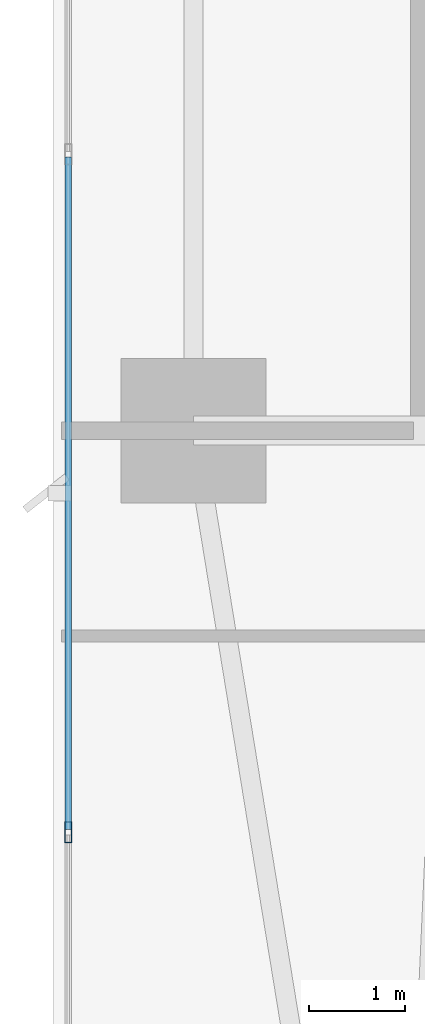
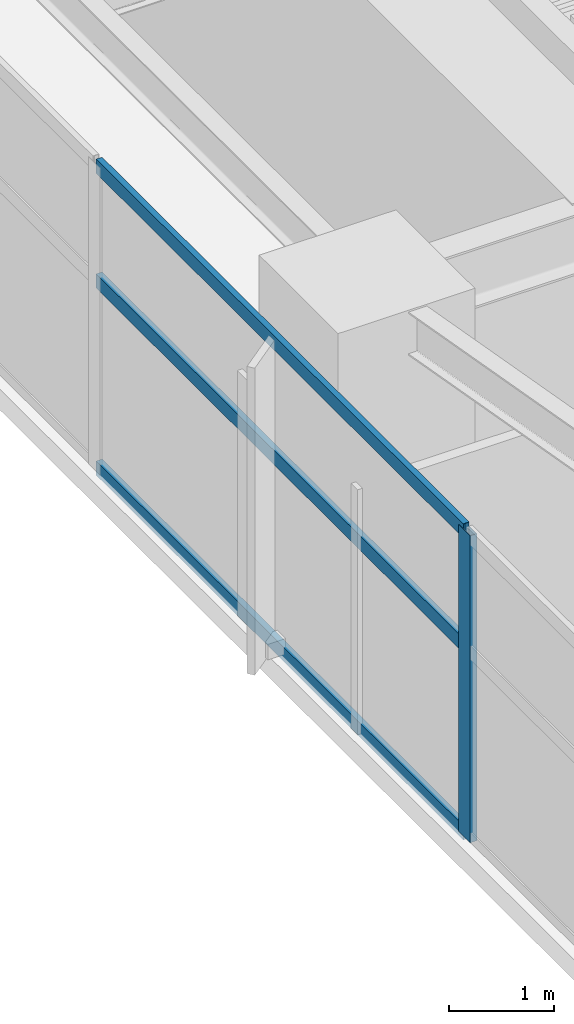
# One storey, part 4 of 30: 4 members, 1 element without a shape of its own.
"""IFC4 building model written with IfcOpenShell, lengths in metres."""

from ifc_helpers import new_model, si_unit, direction, frame, origin, origin_2d, place, context, subcontext, project, spatial, hollow_rectangle, extrude, material, layer, layer_set, material_profile, profile_set, type_object, element, aggregate, save


model = new_model("IFC4")

# Units and contexts
model_context = context("Model", 3, precision=1e-05, world=origin(), true_north=direction((0.0, 1.0)))
body_context = subcontext(model_context, "Body", "Model", "MODEL_VIEW")
ifc_project = project(units=[si_unit("LENGTHUNIT", "METRE"), si_unit("AREAUNIT", "SQUARE_METRE"), si_unit("VOLUMEUNIT", "CUBIC_METRE"), si_unit("PLANEANGLEUNIT", "RADIAN"), si_unit("MASSUNIT", "GRAM", prefix="KILO")], contexts=[model_context])

# Site, building, storey
site_placement = place(None, origin())
site = spatial("IfcSite", under=ifc_project, at=site_placement, CompositionType="ELEMENT")
building_placement = place(site_placement, origin())
building = spatial("IfcBuilding", under=site, at=building_placement, Name="Calvorn Quay Hotel", CompositionType="ELEMENT")
storey_placement = place(building_placement, frame((0.0, 0.0, 30.800048828125)))
storey = spatial("IfcBuildingStorey", under=building, at=storey_placement, Name="L06", CompositionType="ELEMENT", Elevation=30.800048828125)

# Curtain wall, members
ifc_material_1 = material(Name="Pale Anodised Aluminium and Low-E Glass", Category="aluminium")
ifc_layer = layer(ifc_material_1, 0.219970703125)
ifc_layer_set = layer_set([ifc_layer], Name="CW-SYS-Z1")
curtain_wall_type = type_object("IfcCurtainWallType", Name="CW-SYS-Z1", PredefinedType="NOTDEFINED", material=ifc_layer_set)
curtain_wall_placement = place(storey_placement, origin())
curtain_wall = element("IfcCurtainWall", 1, at=curtain_wall_placement, inside=storey, type_object=curtain_wall_type, Name="Tower West Curtain Wall (L06)", PredefinedType="NOTDEFINED")
ifc_material_2 = material(Name="Pale Anodised Aluminium 6063-T6", Category="aluminium")
ifc_material_profile_1 = material_profile(ifc_material_2, hollow_rectangle(XDim=0.074951171875, YDim=0.219970703125, WallThickness=0.00439453125, at=origin_2d()), Name="ALU-M220x75x4.5")
ifc_profile_set_1 = profile_set([ifc_material_profile_1], Name="Pale Anodised Aluminium 6063-T6")
member_type_1 = type_object("IfcMemberType", Name="CW-SYS-Z1-MUL", PredefinedType="MULLION", material=ifc_profile_set_1)
member_1_placement = place(storey_placement, frame((0.14990234375, 12.63330078125, 0.0), z_axis=(0.0, 0.0, 1.0), x_axis=(-1.0, 0.0, 0.0)))
member_1 = element("IfcMember", 2, at=member_1_placement, type_object=member_type_1, Name="CW-L06-W mullion 2", PredefinedType="MULLION", context=body_context, shape_type="SweptSolid", body=[
    extrude(hollow_rectangle(XDim=0.074951171875, YDim=0.219970703125, WallThickness=0.00439453125, at=origin_2d()), origin(), (0.0, 0.0, 1.0), 3.56005859375),
])
ifc_material_3 = material(Name="Pale Anodised Aluminium 6063-T6", Category="aluminium")
ifc_material_profile_2 = material_profile(ifc_material_3, hollow_rectangle(XDim=0.06494140625, YDim=0.1650390625, WallThickness=0.00341796875, at=origin_2d()), Name="ALU-T165x65x3.5")
ifc_profile_set_2 = profile_set([ifc_material_profile_2], Name="Pale Anodised Aluminium 6063-T6")
member_type_2 = type_object("IfcMemberType", Name="CW-SYS-Z1-TRN", PredefinedType="USERDEFINED", material=ifc_profile_set_2)
member_2_placement = place(storey_placement, frame((0.14990234375, 12.663330078125, 0.030029296875), z_axis=(0.0, 1.0, 0.0), x_axis=(-1.0, 0.0, 0.0)))
member_2 = element("IfcMember", 3, at=member_2_placement, type_object=member_type_2, Name="CW-L06-W transom 2.1", ObjectType="TRANSOM", PredefinedType="USERDEFINED", context=body_context, shape_type="SweptSolid", body=[
    extrude(hollow_rectangle(XDim=0.06494140625, YDim=0.1650390625, WallThickness=0.00341796875, at=origin_2d()), origin(), (0.0, 0.0, 1.0), 6.973388671875),
])
member_3_placement = place(storey_placement, frame((0.14990234375, 12.663330078125, 2.199951171875), z_axis=(0.0, 1.0, 0.0), x_axis=(-1.0, 0.0, 0.0)))
member_3 = element("IfcMember", 4, at=member_3_placement, type_object=member_type_2, Name="CW-L06-W transom 2.2", ObjectType="TRANSOM", PredefinedType="USERDEFINED", context=body_context, shape_type="SweptSolid", body=[
    extrude(hollow_rectangle(XDim=0.06494140625, YDim=0.1650390625, WallThickness=0.00341796875, at=origin_2d()), origin(), (0.0, 0.0, 1.0), 6.973388671875),
])
member_4_placement = place(storey_placement, frame((0.14990234375, 12.663330078125, 3.530029296875), z_axis=(0.0, 1.0, 0.0), x_axis=(-1.0, 0.0, 0.0)))
member_4 = element("IfcMember", 5, at=member_4_placement, type_object=member_type_2, Name="CW-L06-W transom 2.3", ObjectType="TRANSOM", PredefinedType="USERDEFINED", context=body_context, shape_type="SweptSolid", body=[
    extrude(hollow_rectangle(XDim=0.06494140625, YDim=0.1650390625, WallThickness=0.00341796875, at=origin_2d()), origin(), (0.0, 0.0, 1.0), 6.973388671875),
])
aggregate(curtain_wall, [member_1, member_2, member_3, member_4])

save(model, "model.ifc")
